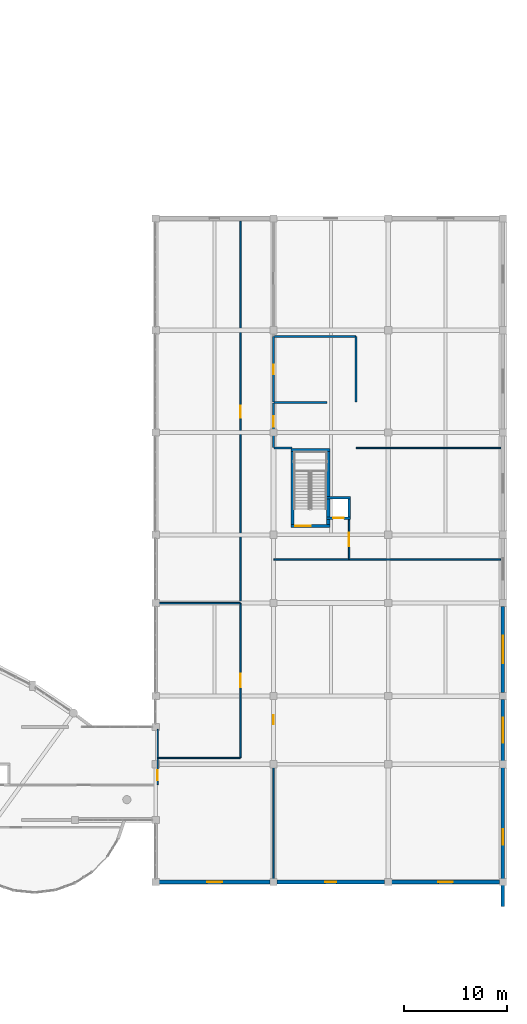
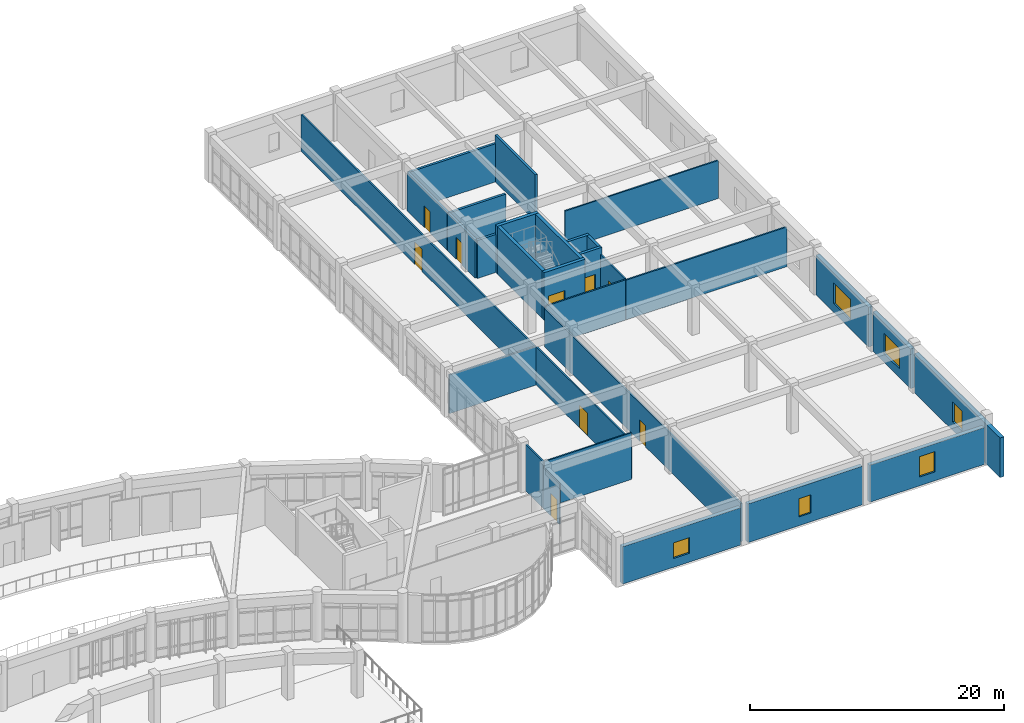
# One storey, part 53 of 65: 30 walls, 9 doors, 6 windows, 15 openings.
"""IFC4 building model written with IfcOpenShell, lengths in metres."""

from ifc_helpers import new_model, si_unit, direction, frame, frame_2d, origin, place, context, subcontext, project, spatial, rectangle, extrude, material, layer, layer_set, type_object, element, fill, save


model = new_model("IFC4")

# Units and contexts
model_context = context("Model", 3, precision=1e-05, world=origin(), true_north=direction((0.0, 1.0)))
body_context = subcontext(model_context, "Body", "Model", "MODEL_VIEW")
ifc_project = project(units=[si_unit("LENGTHUNIT", "METRE"), si_unit("AREAUNIT", "SQUARE_METRE"), si_unit("VOLUMEUNIT", "CUBIC_METRE"), si_unit("PLANEANGLEUNIT", "RADIAN"), si_unit("MASSUNIT", "GRAM", prefix="KILO")], contexts=[model_context])

# Site, building, storey
site_placement = place(None, origin())
site = spatial("IfcSite", under=ifc_project, at=site_placement, CompositionType="ELEMENT")
building_placement = place(site_placement, origin())
building = spatial("IfcBuilding", under=site, at=building_placement, Name="Miralva Faculty of Natural Sciences", CompositionType="ELEMENT")
storey_placement = place(building_placement, frame((0.0, 0.0, 10.199951171875)))
storey = spatial("IfcBuildingStorey", under=building, at=storey_placement, Name="L02", CompositionType="ELEMENT", Elevation=10.199951171875)

# Wall, opening, door
ifc_material_1 = material(Name="Concrete C40/50", Category="concrete")
ifc_layer_1 = layer(ifc_material_1, 0.300048828125, Name="WL-CW03")
ifc_layer_set_1 = layer_set([ifc_layer_1], Name="Concrete C40/50")
wall_type_1 = type_object("IfcWallType", Name="WL-CW03", PredefinedType="SHEAR", material=ifc_layer_set_1)
wall_1_placement = place(storey_placement, frame((146.89990234375, 46.449951171875, 0.0), z_axis=(0.0, 0.0, 1.0), x_axis=(1.0, 0.0, 0.0)))
wall_1 = element("IfcWall", 1, at=wall_1_placement, inside=storey, type_object=wall_type_1, Name="Core C4 shear wall south L02", PredefinedType="SHEAR", context=body_context, shape_type="SweptSolid", body=[
    extrude(rectangle(XDim=3.75, YDim=0.300048828125, at=frame_2d((1.875, 0.0))), origin(), (0.0, 0.0, 1.0), 4.580078125),
])
opening_1_placement = place(wall_1_placement, frame((0.39990234375, 0.0, 0.0)))
opening_1 = element("IfcOpeningElement", 2, at=opening_1_placement, cuts=wall_1, Name="Opening D-11", PredefinedType="OPENING", context=body_context, shape_type="SweptSolid", body=[
    extrude(rectangle(XDim=1.5, YDim=2.199951171875, at=frame_2d((0.75, 1.10009765625))), frame((0.0, 0.159912109375, 0.0), z_axis=(0.0, -1.0, 0.0), x_axis=(1.0, 0.0, 0.0)), (0.0, 0.0, 1.0), 0.320068359375),
])
ifc_material_2 = material(Name="Galvanised steel", Category="steel")
door_type_1 = type_object("IfcDoorType", Name="DR-DI11", OperationType="DOUBLE_DOOR_SINGLE_SWING", PredefinedType="DOOR", material=ifc_material_2)
door_1_placement = place(opening_1_placement, frame((1.5, 0.0, 0.0), z_axis=(0.0, 0.0, 1.0), x_axis=(-1.0, 0.0, 0.0)))
door_1 = element("IfcDoor", 3, at=door_1_placement, inside=storey, type_object=door_type_1, Name="Protected exit stair door Core C4 L02", OperationType="DOUBLE_DOOR_SINGLE_SWING", OverallHeight=2.199951171875, OverallWidth=1.5, PredefinedType="DOOR", context=body_context, shape_type="SweptSolid", body=[
    extrude(rectangle(XDim=1.5, YDim=2.199951171875, at=frame_2d((0.75, 1.10009765625))), frame((0.0, 0.02490234375, 0.0), z_axis=(0.0, -1.0, 0.0), x_axis=(1.0, 0.0, 0.0)), (0.0, 0.0, 1.0), 0.050048828125),
])
fill(opening_1, door_1)

# Walls
wall_2_placement = place(storey_placement, frame((146.89990234375, 53.800048828125, 0.0), z_axis=(0.0, 0.0, 1.0), x_axis=(1.0, 0.0, 0.0)))
element("IfcWall", 4, at=wall_2_placement, inside=storey, type_object=wall_type_1, Name="Core C4 shear wall north L02", PredefinedType="SHEAR", context=body_context, shape_type="SweptSolid", body=[
    extrude(rectangle(XDim=3.75, YDim=0.300048828125, at=frame_2d((1.875, 0.0))), origin(), (0.0, 0.0, 1.0), 4.580078125),
])
for number, where, z_axis, x_axis, name in (
    (5, (147.050048828125, 46.60009765625, 0.0), (0.0, 0.0, 1.0), (0.0, 1.0, 0.0), "Core C4 shear wall west L02"),
    (6, (150.5, 46.60009765625, 0.0), (0.0, 0.0, 1.0), (0.0, 1.0, 0.0), "Core C4 shear wall east L02"),
):
    element("IfcWall", number, at=place(storey_placement, frame(where, z_axis=z_axis, x_axis=x_axis)), inside=storey, type_object=wall_type_1, Name=name, PredefinedType="SHEAR", context=body_context, shape_type="SweptSolid", body=[
        extrude(rectangle(XDim=7.0498046875, YDim=0.300048828125, at=frame_2d((3.52490234375, 0.0))), origin(), (0.0, 0.0, 1.0), 4.580078125),
    ])

# Wall, opening, door
ifc_layer_2 = layer(ifc_material_1, 0.25, Name="WL-CW04")
ifc_layer_set_2 = layer_set([ifc_layer_2], Name="Concrete C40/50")
wall_type_2 = type_object("IfcWallType", Name="WL-CW04", PredefinedType="SHEAR", material=ifc_layer_set_2)
wall_3_placement = place(storey_placement, frame((150.35498046875, 47.205078125, 0.0), z_axis=(0.0, 0.0, 1.0), x_axis=(1.0, 0.0, 0.0)))
wall_3 = element("IfcWall", 7, at=wall_3_placement, inside=storey, type_object=wall_type_2, Name="Lift L-06 hoistway front wall L02", PredefinedType="SHEAR", context=body_context, shape_type="SweptSolid", body=[
    extrude(rectangle(XDim=2.2900390625, YDim=0.25, at=frame_2d((1.14501953125, 0.0))), origin(), (0.0, 0.0, 1.0), 4.56005859375),
])
opening_2_placement = place(wall_3_placement, frame((0.6201171875, 0.0, 0.0)))
opening_2 = element("IfcOpeningElement", 8, at=opening_2_placement, cuts=wall_3, Name="Opening LD-03", PredefinedType="OPENING", context=body_context, shape_type="SweptSolid", body=[
    extrude(rectangle(XDim=1.050048828125, YDim=2.14990234375, at=frame_2d((0.52490234375, 1.074951171875))), frame((0.0, 0.135009765625, 0.0), z_axis=(0.0, -1.0, 0.0), x_axis=(1.0, 0.0, 0.0)), (0.0, 0.0, 1.0), 0.27001953125),
])
door_type_2 = type_object("IfcDoorType", Name="DR-LD03", OperationType="SLIDING_TO_RIGHT", PredefinedType="DOOR", material=ifc_material_2)
door_2_placement = place(opening_2_placement, frame((1.050048828125, 0.0, 0.0), z_axis=(0.0, 0.0, 1.0), x_axis=(-1.0, 0.0, 0.0)))
door_2 = element("IfcDoor", 9, at=door_2_placement, inside=storey, type_object=door_type_2, Name="Lift L-06 sliding landing door L02", OperationType="SLIDING_TO_RIGHT", OverallHeight=2.14990234375, OverallWidth=1.050048828125, PredefinedType="DOOR", context=body_context, shape_type="SweptSolid", body=[
    extrude(rectangle(XDim=1.050048828125, YDim=2.14990234375, at=frame_2d((0.52490234375, 1.074951171875))), frame((0.0, 0.02490234375, 0.0), z_axis=(0.0, -1.0, 0.0), x_axis=(1.0, 0.0, 0.0)), (0.0, 0.0, 1.0), 0.050048828125),
])
fill(opening_2, door_2)

# Walls
wall_4_placement = place(storey_placement, frame((150.35498046875, 49.195068359375, 0.0), z_axis=(0.0, 0.0, 1.0), x_axis=(1.0, 0.0, 0.0)))
element("IfcWall", 10, at=wall_4_placement, inside=storey, type_object=wall_type_2, Name="Lift L-06 hoistway rear wall L02", PredefinedType="SHEAR", context=body_context, shape_type="SweptSolid", body=[
    extrude(rectangle(XDim=2.2900390625, YDim=0.25, at=frame_2d((1.14501953125, 0.0))), origin(), (0.0, 0.0, 1.0), 4.56005859375),
])
wall_5_placement = place(storey_placement, frame((152.52001953125, 47.330078125, 0.0), z_axis=(0.0, 0.0, 1.0), x_axis=(0.0, 1.0, 0.0)))
element("IfcWall", 11, at=wall_5_placement, inside=storey, type_object=wall_type_2, Name="Lift L-06 hoistway E wall L02", PredefinedType="SHEAR", context=body_context, shape_type="SweptSolid", body=[
    extrude(rectangle(XDim=1.739990234375, YDim=0.25, at=frame_2d((0.8701171875, 0.0))), origin(), (0.0, 0.0, 1.0), 4.56005859375),
])
ifc_material_3 = material(Name="Gypsum plasterboard")
ifc_layer_3 = layer(ifc_material_3, 0.139892578125, Name="WL-PT04")
ifc_layer_set_3 = layer_set([ifc_layer_3], Name="Gypsum plasterboard")
wall_type_3 = type_object("IfcWallType", Name="WL-PT04", PredefinedType="PARTITIONING", material=ifc_layer_set_3)
wall_6_placement = place(storey_placement, frame((134.030029296875, 39.0, 0.0), z_axis=(0.0, 0.0, 1.0), x_axis=(1.0, 0.0, 0.0)))
element("IfcWall", 12, at=wall_6_placement, inside=storey, type_object=wall_type_3, Name="Interior partition PT-04 L02-288", PredefinedType="PARTITIONING", context=body_context, shape_type="SweptSolid", body=[
    extrude(rectangle(XDim=7.93994140625, YDim=0.139892578125, at=frame_2d((3.969970703125, 0.0))), origin(), (0.0, 0.0, 1.0), 3.715087890625),
])
wall_7_placement = place(storey_placement, frame((152.550048828125, 43.199951171875, 0.0), z_axis=(0.0, 0.0, 1.0), x_axis=(1.0, 0.0, 0.0)))
element("IfcWall", 13, at=wall_7_placement, inside=storey, type_object=wall_type_3, Name="Interior partition PT-04 L02-291", PredefinedType="PARTITIONING", context=body_context, shape_type="SweptSolid", body=[
    extrude(rectangle(XDim=14.619873046875, YDim=0.139892578125, at=frame_2d((7.31005859375, 0.0))), origin(), (0.0, 0.0, 1.0), 3.81494140625),
])

# Wall, opening, door
wall_8_placement = place(storey_placement, frame((145.199951171875, 12.22998046875, 0.0), z_axis=(0.0, 0.0, 1.0), x_axis=(0.0, 1.0, 0.0)))
wall_8 = element("IfcWall", 14, at=wall_8_placement, inside=storey, type_object=wall_type_3, Name="Interior partition PT-04 L02-292", PredefinedType="PARTITIONING", context=body_context, shape_type="SweptSolid", body=[
    extrude(rectangle(XDim=30.93994140625, YDim=0.139892578125, at=frame_2d((15.469970703125, 0.0))), origin(), (0.0, 0.0, 1.0), 3.6650390625),
])
opening_3_placement = place(wall_8_placement, frame((15.02001953125, 0.0, 0.0)))
opening_3 = element("IfcOpeningElement", 15, at=opening_3_placement, cuts=wall_8, Name="Opening D-28", PredefinedType="OPENING", context=body_context, shape_type="SweptSolid", body=[
    extrude(rectangle(XDim=0.89990234375, YDim=2.050048828125, at=frame_2d((0.449951171875, 1.02490234375))), frame((0.0, 0.079833984375, 0.0), z_axis=(0.0, -1.0, 0.0), x_axis=(1.0, 0.0, 0.0)), (0.0, 0.0, 1.0), 0.159912109375),
])
ifc_material_4 = material(Name="Anodised aluminium", Category="aluminium")
door_type_3 = type_object("IfcDoorType", Name="DR-DI28", OperationType="NOTDEFINED", PredefinedType="DOOR", material=ifc_material_4)
door_3_placement = place(opening_3_placement, origin())
door_3 = element("IfcDoor", 16, at=door_3_placement, inside=storey, type_object=door_type_3, Name="Interior door D-28 L02-107", OperationType="SINGLE_SWING_RIGHT", OverallHeight=2.050048828125, OverallWidth=0.89990234375, PredefinedType="DOOR", context=body_context, shape_type="SweptSolid", body=[
    extrude(rectangle(XDim=0.89990234375, YDim=2.050048828125, at=frame_2d((0.449951171875, 1.02490234375))), frame((0.0, 0.02490234375, 0.0), z_axis=(0.0, -1.0, 0.0), x_axis=(1.0, 0.0, 0.0)), (0.0, 0.0, 1.0), 0.050048828125),
])
fill(opening_3, door_3)

# Wall
wall_9_placement = place(storey_placement, frame((145.22998046875, 43.199951171875, 0.0), z_axis=(0.0, 0.0, 1.0), x_axis=(1.0, 0.0, 0.0)))
element("IfcWall", 17, at=wall_9_placement, inside=storey, type_object=wall_type_3, Name="Interior partition PT-04 L02-293", PredefinedType="PARTITIONING", context=body_context, shape_type="SweptSolid", body=[
    extrude(rectangle(XDim=7.260009765625, YDim=0.139892578125, at=frame_2d((3.6298828125, 0.0))), origin(), (0.0, 0.0, 1.0), 3.864990234375),
])

# Wall, opening, door
wall_10_placement = place(storey_placement, frame((142.0, 39.030029296875, 0.0), z_axis=(0.0, 0.0, 1.0), x_axis=(0.0, 1.0, 0.0)))
wall_10 = element("IfcWall", 18, at=wall_10_placement, inside=storey, type_object=wall_type_3, Name="Interior partition PT-04 L02-294", PredefinedType="PARTITIONING", context=body_context, shape_type="SweptSolid", body=[
    extrude(rectangle(XDim=36.93994140625, YDim=0.139892578125, at=frame_2d((18.469970703125, 0.0))), origin(), (0.0, 0.0, 1.0), 3.554931640625),
])
opening_4_placement = place(wall_10_placement, frame((17.89501953125, 0.0, 0.0)))
opening_4 = element("IfcOpeningElement", 19, at=opening_4_placement, cuts=wall_10, Name="Opening D-24", PredefinedType="OPENING", context=body_context, shape_type="SweptSolid", body=[
    extrude(rectangle(XDim=1.14990234375, YDim=2.14990234375, at=frame_2d((0.574951171875, 1.074951171875))), frame((0.0, 0.079833984375, 0.0), z_axis=(0.0, -1.0, 0.0), x_axis=(1.0, 0.0, 0.0)), (0.0, 0.0, 1.0), 0.159912109375),
])
door_type_4 = type_object("IfcDoorType", Name="DR-DI24", OperationType="NOTDEFINED", PredefinedType="DOOR", material=ifc_material_4)
door_4_placement = place(opening_4_placement, origin())
door_4 = element("IfcDoor", 20, at=door_4_placement, inside=storey, type_object=door_type_4, Name="Interior door D-24 L02-108", OperationType="SINGLE_SWING_LEFT", OverallHeight=2.14990234375, OverallWidth=1.14990234375, PredefinedType="DOOR", context=body_context, shape_type="SweptSolid", body=[
    extrude(rectangle(XDim=1.14990234375, YDim=2.14990234375, at=frame_2d((0.574951171875, 1.074951171875))), frame((0.0, 0.02490234375, 0.0), z_axis=(0.0, -1.0, 0.0), x_axis=(1.0, 0.0, 0.0)), (0.0, 0.0, 1.0), 0.050048828125),
])
fill(opening_4, door_4)

# Wall
ifc_layer_4 = layer(ifc_material_3, 0.125, Name="WL-PT05")
ifc_layer_set_4 = layer_set([ifc_layer_4], Name="Gypsum plasterboard")
wall_type_4 = type_object("IfcWallType", Name="WL-PT05", PredefinedType="PARTITIONING", material=ifc_layer_set_4)
wall_11_placement = place(storey_placement, frame((134.0, 24.030029296875, 0.0), z_axis=(0.0, 0.0, 1.0), x_axis=(0.0, 1.0, 0.0)))
element("IfcWall", 21, at=wall_11_placement, inside=storey, type_object=wall_type_4, Name="Interior partition PT-05 L02-286", PredefinedType="PARTITIONING", context=body_context, shape_type="SweptSolid", body=[
    extrude(rectangle(XDim=2.739990234375, YDim=0.125, at=frame_2d((1.3701171875, 0.0))), origin(), (0.0, 0.0, 1.0), 4.47998046875),
])

# Wall, opening, door
wall_12_placement = place(storey_placement, frame((134.0, 21.429931640625, 0.0), z_axis=(0.0, 0.0, 1.0), x_axis=(0.0, 1.0, 0.0)))
wall_12 = element("IfcWall", 22, at=wall_12_placement, inside=storey, type_object=wall_type_4, Name="Interior partition PT-05 L02-287", PredefinedType="PARTITIONING", context=body_context, shape_type="SweptSolid", body=[
    extrude(rectangle(XDim=2.5400390625, YDim=0.125, at=frame_2d((1.27001953125, 0.0))), origin(), (0.0, 0.0, 1.0), 3.864990234375),
])
opening_5_placement = place(wall_12_placement, frame((0.409912109375, 0.0, 0.0)))
opening_5 = element("IfcOpeningElement", 23, at=opening_5_placement, cuts=wall_12, Name="Opening D-25", PredefinedType="OPENING", context=body_context, shape_type="SweptSolid", body=[
    extrude(rectangle(XDim=1.0, YDim=2.14990234375, at=frame_2d((0.5, 1.074951171875))), frame((0.0, 0.072509765625, 0.0), z_axis=(0.0, -1.0, 0.0), x_axis=(1.0, 0.0, 0.0)), (0.0, 0.0, 1.0), 0.14501953125),
])
door_type_5 = type_object("IfcDoorType", Name="DR-DI25", OperationType="NOTDEFINED", PredefinedType="DOOR", material=ifc_material_4)
door_5_placement = place(opening_5_placement, origin())
door_5 = element("IfcDoor", 24, at=door_5_placement, inside=storey, type_object=door_type_5, Name="Interior door D-25 L02-104", OperationType="SINGLE_SWING_LEFT", OverallHeight=2.14990234375, OverallWidth=1.0, PredefinedType="DOOR", context=body_context, shape_type="SweptSolid", body=[
    extrude(rectangle(XDim=1.0, YDim=2.14990234375, at=frame_2d((0.5, 1.074951171875))), frame((0.0, 0.02490234375, 0.0), z_axis=(0.0, -1.0, 0.0), x_axis=(1.0, 0.0, 0.0)), (0.0, 0.0, 1.0), 0.050048828125),
])
fill(opening_5, door_5)

wall_13_placement = place(storey_placement, frame((142.0, 24.030029296875, 0.0), z_axis=(0.0, 0.0, 1.0), x_axis=(0.0, 1.0, 0.0)))
wall_13 = element("IfcWall", 25, at=wall_13_placement, inside=storey, type_object=wall_type_4, Name="Interior partition PT-05 L02-289", PredefinedType="PARTITIONING", context=body_context, shape_type="SweptSolid", body=[
    extrude(rectangle(XDim=14.93994140625, YDim=0.125, at=frame_2d((7.469970703125, 0.0))), origin(), (0.0, 0.0, 1.0), 3.655029296875),
])
opening_6_placement = place(wall_13_placement, frame((6.820068359375, 0.0, 0.0)))
opening_6 = element("IfcOpeningElement", 26, at=opening_6_placement, cuts=wall_13, Name="Opening D-36", PredefinedType="OPENING", context=body_context, shape_type="SweptSolid", body=[
    extrude(rectangle(XDim=1.300048828125, YDim=2.199951171875, at=frame_2d((0.64990234375, 1.10009765625))), frame((0.0, 0.072509765625, 0.0), z_axis=(0.0, -1.0, 0.0), x_axis=(1.0, 0.0, 0.0)), (0.0, 0.0, 1.0), 0.14501953125),
])
door_type_6 = type_object("IfcDoorType", Name="DR-DI36", OperationType="NOTDEFINED", PredefinedType="DOOR", material=ifc_material_4)
door_6_placement = place(opening_6_placement, origin())
door_6 = element("IfcDoor", 27, at=door_6_placement, inside=storey, type_object=door_type_6, Name="Interior door D-36 L02-106", OperationType="SINGLE_SWING_LEFT", OverallHeight=2.199951171875, OverallWidth=1.300048828125, PredefinedType="DOOR", context=body_context, shape_type="SweptSolid", body=[
    extrude(rectangle(XDim=1.300048828125, YDim=2.199951171875, at=frame_2d((0.64990234375, 1.10009765625))), frame((0.0, 0.02490234375, 0.0), z_axis=(0.0, -1.0, 0.0), x_axis=(1.0, 0.0, 0.0)), (0.0, 0.0, 1.0), 0.050048828125),
])
fill(opening_6, door_6)

# Walls
wall_14_placement = place(storey_placement, frame((134.030029296875, 24.0, 0.0), z_axis=(0.0, 0.0, 1.0), x_axis=(1.0, 0.0, 0.0)))
element("IfcWall", 28, at=wall_14_placement, inside=storey, type_object=wall_type_4, Name="Interior partition PT-05 L02-290", PredefinedType="PARTITIONING", context=body_context, shape_type="SweptSolid", body=[
    extrude(rectangle(XDim=7.93994140625, YDim=0.125, at=frame_2d((3.969970703125, 0.0))), origin(), (0.0, 0.0, 1.0), 4.47998046875),
])
wall_15_placement = place(storey_placement, frame((153.22998046875, 54.0, 0.0), z_axis=(0.0, 0.0, 1.0), x_axis=(1.0, 0.0, 0.0)))
element("IfcWall", 29, at=wall_15_placement, inside=storey, type_object=wall_type_4, Name="Interior partition PT-05 L02-295", PredefinedType="PARTITIONING", context=body_context, shape_type="SweptSolid", body=[
    extrude(rectangle(XDim=13.93994140625, YDim=0.125, at=frame_2d((6.969970703125, 0.0))), origin(), (0.0, 0.0, 1.0), 3.6650390625),
])

# Wall, opening, door
wall_16_placement = place(storey_placement, frame((152.52001953125, 43.22998046875, 0.0), z_axis=(0.0, 0.0, 1.0), x_axis=(0.0, 1.0, 0.0)))
wall_16 = element("IfcWall", 30, at=wall_16_placement, inside=storey, type_object=wall_type_4, Name="Interior partition PT-05 L02-296", PredefinedType="PARTITIONING", context=body_context, shape_type="SweptSolid", body=[
    extrude(rectangle(XDim=3.81494140625, YDim=0.125, at=frame_2d((1.907470703125, 0.0))), origin(), (0.0, 0.0, 1.0), 3.93505859375),
])
opening_7_placement = place(wall_16_placement, frame((1.257568359375, 0.0, 0.0)))
opening_7 = element("IfcOpeningElement", 31, at=opening_7_placement, cuts=wall_16, Name="Opening D-36", PredefinedType="OPENING", context=body_context, shape_type="SweptSolid", body=[
    extrude(rectangle(XDim=1.300048828125, YDim=2.199951171875, at=frame_2d((0.64990234375, 1.10009765625))), frame((0.0, 0.072509765625, 0.0), z_axis=(0.0, -1.0, 0.0), x_axis=(1.0, 0.0, 0.0)), (0.0, 0.0, 1.0), 0.14501953125),
])
door_7_placement = place(opening_7_placement, origin())
door_7 = element("IfcDoor", 32, at=door_7_placement, inside=storey, type_object=door_type_6, Name="Interior door D-36 L02-109", OperationType="SINGLE_SWING_RIGHT", OverallHeight=2.199951171875, OverallWidth=1.300048828125, PredefinedType="DOOR", context=body_context, shape_type="SweptSolid", body=[
    extrude(rectangle(XDim=1.300048828125, YDim=2.199951171875, at=frame_2d((0.64990234375, 1.10009765625))), frame((0.0, 0.02490234375, 0.0), z_axis=(0.0, -1.0, 0.0), x_axis=(1.0, 0.0, 0.0)), (0.0, 0.0, 1.0), 0.050048828125),
])
fill(opening_7, door_7)

# Walls
ifc_layer_5 = layer(ifc_material_3, 0.2099609375, Name="WL-PT06")
ifc_layer_set_5 = layer_set([ifc_layer_5], Name="Gypsum plasterboard")
wall_type_5 = type_object("IfcWallType", Name="WL-PT06", PredefinedType="PLUMBINGWALL", material=ifc_layer_set_5)
wall_17_placement = place(storey_placement, frame((145.22998046875, 58.39990234375, 0.0), z_axis=(0.0, 0.0, 1.0), x_axis=(1.0, 0.0, 0.0)))
element("IfcWall", 33, at=wall_17_placement, inside=storey, type_object=wall_type_5, Name="Interior partition PT-06 L02-297", PredefinedType="PLUMBINGWALL", context=body_context, shape_type="SweptSolid", body=[
    extrude(rectangle(XDim=5.14013671875, YDim=0.2099609375, at=frame_2d((2.570068359375, 0.0))), origin(), (0.0, 0.0, 1.0), 3.6650390625),
])
wall_18_placement = place(storey_placement, frame((145.22998046875, 54.0, 0.0), z_axis=(0.0, 0.0, 1.0), x_axis=(1.0, 0.0, 0.0)))
element("IfcWall", 34, at=wall_18_placement, inside=storey, type_object=wall_type_5, Name="Interior partition PT-06 L02-298", PredefinedType="PLUMBINGWALL", context=body_context, shape_type="SweptSolid", body=[
    extrude(rectangle(XDim=1.739990234375, YDim=0.2099609375, at=frame_2d((0.8701171875, 0.0))), origin(), (0.0, 0.0, 1.0), 3.6650390625),
])

# Wall, opening, door
wall_19_placement = place(storey_placement, frame((145.199951171875, 54.030029296875, 0.0), z_axis=(0.0, 0.0, 1.0), x_axis=(0.0, 1.0, 0.0)))
wall_19 = element("IfcWall", 35, at=wall_19_placement, inside=storey, type_object=wall_type_5, Name="Interior partition PT-06 L02-299", PredefinedType="PLUMBINGWALL", context=body_context, shape_type="SweptSolid", body=[
    extrude(rectangle(XDim=4.340087890625, YDim=0.2099609375, at=frame_2d((2.169921875, 0.0))), origin(), (0.0, 0.0, 1.0), 3.6650390625),
])
opening_8_placement = place(wall_19_placement, frame((2.0400390625, 0.0, 0.0)))
opening_8 = element("IfcOpeningElement", 36, at=opening_8_placement, cuts=wall_19, Name="Opening D-26", PredefinedType="OPENING", context=body_context, shape_type="SweptSolid", body=[
    extrude(rectangle(XDim=0.97998046875, YDim=2.10009765625, at=frame_2d((0.489990234375, 1.050048828125))), frame((0.0, 0.114990234375, 0.0), z_axis=(0.0, -1.0, 0.0), x_axis=(1.0, 0.0, 0.0)), (0.0, 0.0, 1.0), 0.22998046875),
])
door_type_7 = type_object("IfcDoorType", Name="DR-DI26", OperationType="NOTDEFINED", PredefinedType="DOOR", material=ifc_material_4)
door_8_placement = place(opening_8_placement, origin())
door_8 = element("IfcDoor", 37, at=door_8_placement, inside=storey, type_object=door_type_7, Name="Interior door D-26 L02-110", OperationType="SINGLE_SWING_LEFT", OverallHeight=2.10009765625, OverallWidth=0.97998046875, PredefinedType="DOOR", context=body_context, shape_type="SweptSolid", body=[
    extrude(rectangle(XDim=0.97998046875, YDim=2.10009765625, at=frame_2d((0.489990234375, 1.050048828125))), frame((0.0, 0.02490234375, 0.0), z_axis=(0.0, -1.0, 0.0), x_axis=(1.0, 0.0, 0.0)), (0.0, 0.0, 1.0), 0.050048828125),
])
fill(opening_8, door_8)

# Walls
wall_20_placement = place(storey_placement, frame((145.22998046875, 64.800048828125, 0.0), z_axis=(0.0, 0.0, 1.0), x_axis=(1.0, 0.0, 0.0)))
element("IfcWall", 38, at=wall_20_placement, inside=storey, type_object=wall_type_5, Name="Interior partition PT-06 L02-300", PredefinedType="PLUMBINGWALL", context=body_context, shape_type="SweptSolid", body=[
    extrude(rectangle(XDim=7.93994140625, YDim=0.2099609375, at=frame_2d((3.969970703125, 0.0))), origin(), (0.0, 0.0, 1.0), 3.6650390625),
])
wall_21_placement = place(storey_placement, frame((153.199951171875, 58.429931640625, 0.0), z_axis=(0.0, 0.0, 1.0), x_axis=(0.0, 1.0, 0.0)))
element("IfcWall", 39, at=wall_21_placement, inside=storey, type_object=wall_type_5, Name="Interior partition PT-06 L02-301", PredefinedType="PLUMBINGWALL", context=body_context, shape_type="SweptSolid", body=[
    extrude(rectangle(XDim=6.340087890625, YDim=0.2099609375, at=frame_2d((3.169921875, 0.0))), origin(), (0.0, 0.0, 1.0), 4.47998046875),
])

# Wall, opening, door
wall_22_placement = place(storey_placement, frame((145.199951171875, 58.429931640625, 0.0), z_axis=(0.0, 0.0, 1.0), x_axis=(0.0, 1.0, 0.0)))
wall_22 = element("IfcWall", 40, at=wall_22_placement, inside=storey, type_object=wall_type_5, Name="Interior partition PT-06 L02-302", PredefinedType="PLUMBINGWALL", context=body_context, shape_type="SweptSolid", body=[
    extrude(rectangle(XDim=6.340087890625, YDim=0.2099609375, at=frame_2d((3.169921875, 0.0))), origin(), (0.0, 0.0, 1.0), 3.6650390625),
])
opening_9_placement = place(wall_22_placement, frame((2.7099609375, 0.0, 0.0)))
opening_9 = element("IfcOpeningElement", 41, at=opening_9_placement, cuts=wall_22, Name="Opening D-27", PredefinedType="OPENING", context=body_context, shape_type="SweptSolid", body=[
    extrude(rectangle(XDim=0.919921875, YDim=2.10009765625, at=frame_2d((0.4599609375, 1.050048828125))), frame((0.0, 0.114990234375, 0.0), z_axis=(0.0, -1.0, 0.0), x_axis=(1.0, 0.0, 0.0)), (0.0, 0.0, 1.0), 0.22998046875),
])
door_type_8 = type_object("IfcDoorType", Name="DR-DI27", OperationType="NOTDEFINED", PredefinedType="DOOR", material=ifc_material_4)
door_9_placement = place(opening_9_placement, origin())
door_9 = element("IfcDoor", 42, at=door_9_placement, inside=storey, type_object=door_type_8, Name="Interior door D-27 L02-111", OperationType="SINGLE_SWING_RIGHT", OverallHeight=2.10009765625, OverallWidth=0.919921875, PredefinedType="DOOR", context=body_context, shape_type="SweptSolid", body=[
    extrude(rectangle(XDim=0.919921875, YDim=2.10009765625, at=frame_2d((0.4599609375, 1.050048828125))), frame((0.0, 0.02490234375, 0.0), z_axis=(0.0, -1.0, 0.0), x_axis=(1.0, 0.0, 0.0)), (0.0, 0.0, 1.0), 0.050048828125),
])
fill(opening_9, door_9)

# Wall, opening, window
ifc_material_5 = material(Name="Volcanic tuff architectural stone", Category="masonry")
ifc_layer_6 = layer(ifc_material_5, 0.360107421875, Name="WL-WT01")
ifc_layer_set_6 = layer_set([ifc_layer_6], Name="Volcanic tuff architectural stone")
wall_type_6 = type_object("IfcWallType", Name="WL-WT01", PredefinedType="SOLIDWALL", material=ifc_layer_set_6)
wall_23_placement = place(storey_placement, frame((167.39990234375, 9.6201171875, 0.0), z_axis=(0.0, 0.0, 1.0), x_axis=(0.0, 1.0, 0.0)))
wall_23 = element("IfcWall", 43, at=wall_23_placement, inside=storey, type_object=wall_type_6, Name="Exterior wall L02-312", PredefinedType="SOLIDWALL", context=body_context, shape_type="SweptSolid", body=[
    extrude(rectangle(XDim=13.44482421875, YDim=0.360107421875, at=frame_2d((6.722412109375, 0.0))), origin(), (0.0, 0.0, 1.0), 3.81494140625),
])
opening_10_placement = place(wall_23_placement, frame((5.972412109375, 0.0, 0.85009765625)))
opening_10 = element("IfcOpeningElement", 44, at=opening_10_placement, cuts=wall_23, Name="Opening W-06", PredefinedType="OPENING", context=body_context, shape_type="SweptSolid", body=[
    extrude(rectangle(XDim=1.5, YDim=1.89990234375, at=frame_2d((0.75, 0.949951171875))), frame((0.0, 0.18994140625, 0.0), z_axis=(0.0, -1.0, 0.0), x_axis=(1.0, 0.0, 0.0)), (0.0, 0.0, 1.0), 0.380126953125),
])
ifc_material_6 = material(Name="Laminated solar-control glass", Category="glass")
window_type_1 = type_object("IfcWindowType", Name="WN-W06", PartitioningType="DOUBLE_PANEL_VERTICAL", PredefinedType="WINDOW", material=ifc_material_6)
window_1_placement = place(opening_10_placement, frame((1.5, 0.0, 0.0), z_axis=(0.0, 0.0, 1.0), x_axis=(-1.0, 0.0, 0.0)))
window_1 = element("IfcWindow", 45, at=window_1_placement, inside=storey, type_object=window_type_1, Name="Window W-06 L02-237", OverallHeight=1.89990234375, OverallWidth=1.5, PartitioningType="DOUBLE_PANEL_VERTICAL", PredefinedType="WINDOW", context=body_context, shape_type="SweptSolid", body=[
    extrude(rectangle(XDim=1.5, YDim=1.89990234375, at=frame_2d((0.75, 0.949951171875))), frame((0.0, 0.030029296875, 0.0), z_axis=(0.0, -1.0, 0.0), x_axis=(1.0, 0.0, 0.0)), (0.0, 0.0, 1.0), 0.06005859375),
])
fill(opening_10, window_1)

wall_24_placement = place(storey_placement, frame((167.39990234375, 23.735107421875, 0.0), z_axis=(0.0, 0.0, 1.0), x_axis=(0.0, 1.0, 0.0)))
wall_24 = element("IfcWall", 46, at=wall_24_placement, inside=storey, type_object=wall_type_6, Name="Exterior wall L02-313", PredefinedType="SOLIDWALL", context=body_context, shape_type="SweptSolid", body=[
    extrude(rectangle(XDim=5.929931640625, YDim=0.360107421875, at=frame_2d((2.96484375, 0.0))), origin(), (0.0, 0.0, 1.0), 3.81494140625),
])
opening_11_placement = place(wall_24_placement, frame((1.764892578125, 0.0, 0.85009765625)))
opening_11 = element("IfcOpeningElement", 47, at=opening_11_placement, cuts=wall_24, Name="Opening W-07", PredefinedType="OPENING", context=body_context, shape_type="SweptSolid", body=[
    extrude(rectangle(XDim=2.39990234375, YDim=1.949951171875, at=frame_2d((1.199951171875, 0.97509765625))), frame((0.0, 0.18994140625, 0.0), z_axis=(0.0, -1.0, 0.0), x_axis=(1.0, 0.0, 0.0)), (0.0, 0.0, 1.0), 0.380126953125),
])
window_type_2 = type_object("IfcWindowType", Name="WN-W07", PartitioningType="DOUBLE_PANEL_VERTICAL", PredefinedType="WINDOW", material=ifc_material_6)
window_2_placement = place(opening_11_placement, frame((2.39990234375, 0.0, 0.0), z_axis=(0.0, 0.0, 1.0), x_axis=(-1.0, 0.0, 0.0)))
window_2 = element("IfcWindow", 48, at=window_2_placement, inside=storey, type_object=window_type_2, Name="Window W-07 L02-238", OverallHeight=1.949951171875, OverallWidth=2.39990234375, PartitioningType="DOUBLE_PANEL_VERTICAL", PredefinedType="WINDOW", context=body_context, shape_type="SweptSolid", body=[
    extrude(rectangle(XDim=2.39990234375, YDim=1.949951171875, at=frame_2d((1.199951171875, 0.97509765625))), frame((0.0, 0.030029296875, 0.0), z_axis=(0.0, -1.0, 0.0), x_axis=(1.0, 0.0, 0.0)), (0.0, 0.0, 1.0), 0.06005859375),
])
fill(opening_11, window_2)

wall_25_placement = place(storey_placement, frame((167.39990234375, 30.3349609375, 0.0), z_axis=(0.0, 0.0, 1.0), x_axis=(0.0, 1.0, 0.0)))
wall_25 = element("IfcWall", 49, at=wall_25_placement, inside=storey, type_object=wall_type_6, Name="Exterior wall L02-314", PredefinedType="SOLIDWALL", context=body_context, shape_type="SweptSolid", body=[
    extrude(rectangle(XDim=8.330078125, YDim=0.360107421875, at=frame_2d((4.1650390625, 0.0))), origin(), (0.0, 0.0, 1.0), 3.81494140625),
])
opening_12_placement = place(wall_25_placement, frame((2.81494140625, 0.0, 0.85009765625)))
opening_12 = element("IfcOpeningElement", 50, at=opening_12_placement, cuts=wall_25, Name="Opening W-08", PredefinedType="OPENING", context=body_context, shape_type="SweptSolid", body=[
    extrude(rectangle(XDim=2.699951171875, YDim=2.0, at=frame_2d((1.35009765625, 1.0))), frame((0.0, 0.18994140625, 0.0), z_axis=(0.0, -1.0, 0.0), x_axis=(1.0, 0.0, 0.0)), (0.0, 0.0, 1.0), 0.380126953125),
])
window_type_3 = type_object("IfcWindowType", Name="WN-W08", PartitioningType="TRIPLE_PANEL_VERTICAL", PredefinedType="WINDOW", material=ifc_material_6)
window_3_placement = place(opening_12_placement, frame((2.699951171875, 0.0, 0.0), z_axis=(0.0, 0.0, 1.0), x_axis=(-1.0, 0.0, 0.0)))
window_3 = element("IfcWindow", 51, at=window_3_placement, inside=storey, type_object=window_type_3, Name="Window W-08 L02-239", OverallHeight=2.0, OverallWidth=2.699951171875, PartitioningType="TRIPLE_PANEL_VERTICAL", PredefinedType="WINDOW", context=body_context, shape_type="SweptSolid", body=[
    extrude(rectangle(XDim=2.699951171875, YDim=2.0, at=frame_2d((1.35009765625, 1.0))), frame((0.0, 0.030029296875, 0.0), z_axis=(0.0, -1.0, 0.0), x_axis=(1.0, 0.0, 0.0)), (0.0, 0.0, 1.0), 0.06005859375),
])
fill(opening_12, window_3)

wall_26_placement = place(storey_placement, frame((134.135009765625, 12.0, 0.0), z_axis=(0.0, 0.0, 1.0), x_axis=(1.0, 0.0, 0.0)))
wall_26 = element("IfcWall", 52, at=wall_26_placement, inside=storey, type_object=wall_type_6, Name="Exterior wall L02-319", PredefinedType="SOLIDWALL", context=body_context, shape_type="SweptSolid", body=[
    extrude(rectangle(XDim=10.72998046875, YDim=0.360107421875, at=frame_2d((5.364990234375, 0.0))), origin(), (0.0, 0.0, 1.0), 3.594970703125),
])
opening_13_placement = place(wall_26_placement, frame((4.639892578125, 0.0, 0.85009765625)))
opening_13 = element("IfcOpeningElement", 53, at=opening_13_placement, cuts=wall_26, Name="Opening W-19", PredefinedType="OPENING", context=body_context, shape_type="SweptSolid", body=[
    extrude(rectangle(XDim=1.449951171875, YDim=1.5, at=frame_2d((0.72509765625, 0.75))), frame((0.0, 0.18994140625, 0.0), z_axis=(0.0, -1.0, 0.0), x_axis=(1.0, 0.0, 0.0)), (0.0, 0.0, 1.0), 0.380126953125),
])
window_type_4 = type_object("IfcWindowType", Name="WN-W19", PartitioningType="SINGLE_PANEL", PredefinedType="WINDOW", material=ifc_material_6)
window_4_placement = place(opening_13_placement, frame((1.449951171875, 0.0, 0.0), z_axis=(0.0, 0.0, 1.0), x_axis=(-1.0, 0.0, 0.0)))
window_4 = element("IfcWindow", 54, at=window_4_placement, inside=storey, type_object=window_type_4, Name="Window W-19 L02-244", OverallHeight=1.5, OverallWidth=1.449951171875, PartitioningType="SINGLE_PANEL", PredefinedType="WINDOW", context=body_context, shape_type="SweptSolid", body=[
    extrude(rectangle(XDim=1.449951171875, YDim=1.5, at=frame_2d((0.72509765625, 0.75))), frame((0.0, 0.030029296875, 0.0), z_axis=(0.0, -1.0, 0.0), x_axis=(1.0, 0.0, 0.0)), (0.0, 0.0, 1.0), 0.06005859375),
])
fill(opening_13, window_4)

wall_27_placement = place(storey_placement, frame((145.534912109375, 12.0, 0.0), z_axis=(0.0, 0.0, 1.0), x_axis=(1.0, 0.0, 0.0)))
wall_27 = element("IfcWall", 55, at=wall_27_placement, inside=storey, type_object=wall_type_6, Name="Exterior wall L02-321", PredefinedType="SOLIDWALL", context=body_context, shape_type="SweptSolid", body=[
    extrude(rectangle(XDim=10.43017578125, YDim=0.360107421875, at=frame_2d((5.215087890625, 0.0))), origin(), (0.0, 0.0, 1.0), 3.715087890625),
])
opening_14_placement = place(wall_27_placement, frame((4.6650390625, 0.0, 0.85009765625)))
opening_14 = element("IfcOpeningElement", 56, at=opening_14_placement, cuts=wall_27, Name="Opening W-22", PredefinedType="OPENING", context=body_context, shape_type="SweptSolid", body=[
    extrude(rectangle(XDim=1.10009765625, YDim=1.75, at=frame_2d((0.550048828125, 0.875))), frame((0.0, 0.18994140625, 0.0), z_axis=(0.0, -1.0, 0.0), x_axis=(1.0, 0.0, 0.0)), (0.0, 0.0, 1.0), 0.380126953125),
])
window_type_5 = type_object("IfcWindowType", Name="WN-W22", PartitioningType="DOUBLE_PANEL_VERTICAL", PredefinedType="WINDOW", material=ifc_material_6)
window_5_placement = place(opening_14_placement, frame((1.10009765625, 0.0, 0.0), z_axis=(0.0, 0.0, 1.0), x_axis=(-1.0, 0.0, 0.0)))
window_5 = element("IfcWindow", 57, at=window_5_placement, inside=storey, type_object=window_type_5, Name="Window W-22 L02-246", OverallHeight=1.75, OverallWidth=1.10009765625, PartitioningType="DOUBLE_PANEL_VERTICAL", PredefinedType="WINDOW", context=body_context, shape_type="SweptSolid", body=[
    extrude(rectangle(XDim=1.10009765625, YDim=1.75, at=frame_2d((0.550048828125, 0.875))), frame((0.0, 0.030029296875, 0.0), z_axis=(0.0, -1.0, 0.0), x_axis=(1.0, 0.0, 0.0)), (0.0, 0.0, 1.0), 0.06005859375),
])
fill(opening_14, window_5)

wall_28_placement = place(storey_placement, frame((156.635009765625, 12.0, 0.0), z_axis=(0.0, 0.0, 1.0), x_axis=(1.0, 0.0, 0.0)))
wall_28 = element("IfcWall", 58, at=wall_28_placement, inside=storey, type_object=wall_type_6, Name="Exterior wall L02-323", PredefinedType="SOLIDWALL", context=body_context, shape_type="SweptSolid", body=[
    extrude(rectangle(XDim=10.429931640625, YDim=0.360107421875, at=frame_2d((5.21484375, 0.0))), origin(), (0.0, 0.0, 1.0), 3.554931640625),
])
opening_15_placement = place(wall_28_placement, frame((4.514892578125, 0.0, 0.85009765625)))
opening_15 = element("IfcOpeningElement", 59, at=opening_15_placement, cuts=wall_28, Name="Opening W-24", PredefinedType="OPENING", context=body_context, shape_type="SweptSolid", body=[
    extrude(rectangle(XDim=1.39990234375, YDim=1.949951171875, at=frame_2d((0.699951171875, 0.97509765625))), frame((0.0, 0.18994140625, 0.0), z_axis=(0.0, -1.0, 0.0), x_axis=(1.0, 0.0, 0.0)), (0.0, 0.0, 1.0), 0.380126953125),
])
window_type_6 = type_object("IfcWindowType", Name="WN-W24", PartitioningType="DOUBLE_PANEL_VERTICAL", PredefinedType="WINDOW", material=ifc_material_6)
window_6_placement = place(opening_15_placement, frame((1.39990234375, 0.0, 0.0), z_axis=(0.0, 0.0, 1.0), x_axis=(-1.0, 0.0, 0.0)))
window_6 = element("IfcWindow", 60, at=window_6_placement, inside=storey, type_object=window_type_6, Name="Window W-24 L02-248", OverallHeight=1.949951171875, OverallWidth=1.39990234375, PartitioningType="DOUBLE_PANEL_VERTICAL", PredefinedType="WINDOW", context=body_context, shape_type="SweptSolid", body=[
    extrude(rectangle(XDim=1.39990234375, YDim=1.949951171875, at=frame_2d((0.699951171875, 0.97509765625))), frame((0.0, 0.030029296875, 0.0), z_axis=(0.0, -1.0, 0.0), x_axis=(1.0, 0.0, 0.0)), (0.0, 0.0, 1.0), 0.06005859375),
])
fill(opening_15, window_6)

save(model, "model.ifc")
